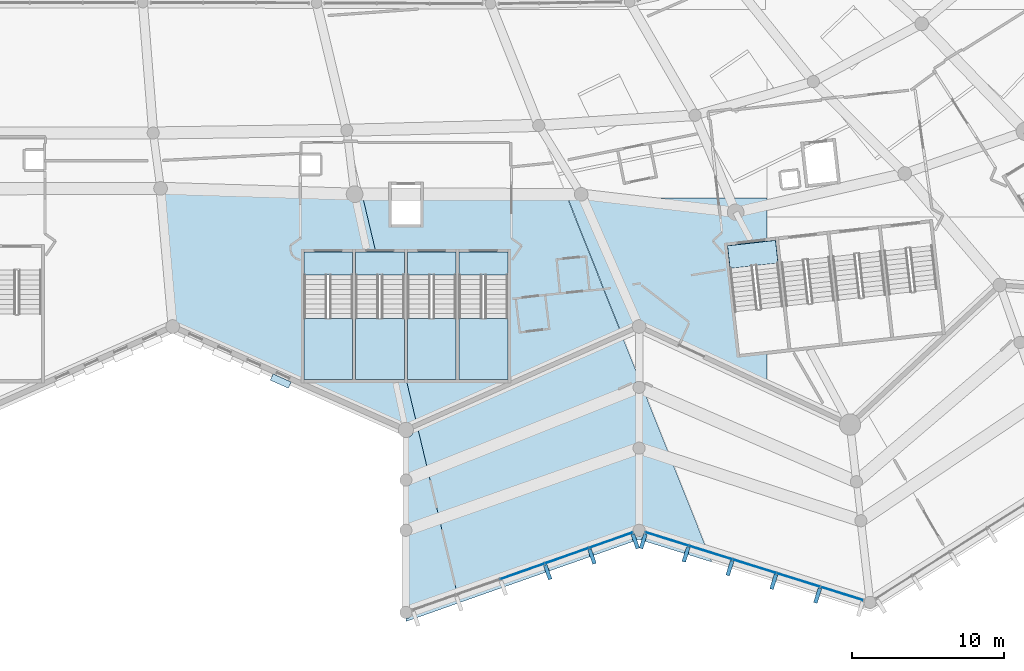
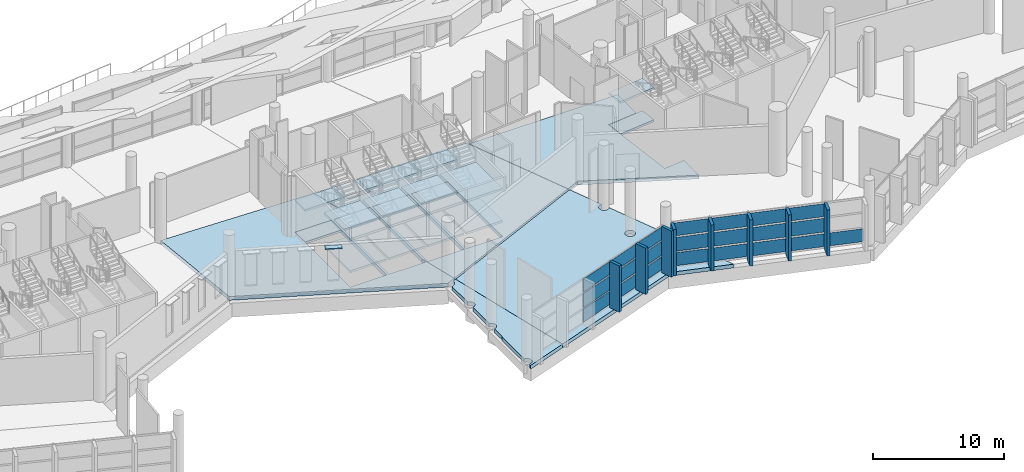
# One storey, part 107 of 249: 31 plates, 23 slabs, 7 elements without a shape of their own.
"""IFC4 building model written with IfcOpenShell, lengths in metres."""

from ifc_helpers import new_model, si_unit, direction, frame, origin, origin_2d, place, context, subcontext, project, spatial, polyline, rectangle, outline, extrude, material, layer, layer_set, type_object, element, aggregate, save


model = new_model("IFC4")

# Units and contexts
model_context = context("Model", 3, precision=1e-05, world=origin(), true_north=direction((0.0, 1.0)))
body_context = subcontext(model_context, "Body", "Model", "MODEL_VIEW")
ifc_project = project(units=[si_unit("LENGTHUNIT", "METRE"), si_unit("AREAUNIT", "SQUARE_METRE"), si_unit("VOLUMEUNIT", "CUBIC_METRE"), si_unit("PLANEANGLEUNIT", "RADIAN"), si_unit("MASSUNIT", "GRAM", prefix="KILO")], contexts=[model_context])

# Site, building, storey
site_placement = place(None, origin())
site = spatial("IfcSite", under=ifc_project, at=site_placement, CompositionType="ELEMENT")
building_placement = place(site_placement, origin())
building = spatial("IfcBuilding", under=site, at=building_placement, Name="Meseta Stadium", CompositionType="ELEMENT")
storey_placement = place(building_placement, frame((0.0, 0.0, 12.0)))
storey = spatial("IfcBuildingStorey", under=building, at=storey_placement, Name="L02", CompositionType="ELEMENT", Elevation=12.0)

# Slabs
ifc_material_1 = material(Name="Concrete C40/50", Category="concrete")
ifc_layer_1 = layer(ifc_material_1, 0.35009765625)
ifc_layer_set_1 = layer_set([ifc_layer_1], Name="Floor slab 350")
slab_type_1 = type_object("IfcSlabType", Name="Floor slab 350", PredefinedType="FLOOR", material=ifc_layer_set_1)
slab_1_placement = place(storey_placement, frame((0.0, 0.0, -0.35009765625)))
element("IfcSlab", 1, at=slab_1_placement, inside=storey, type_object=slab_type_1, Name="Floor slab L02 sector 42 panel 13", PredefinedType="FLOOR", context=body_context, shape_type="SweptSolid", body=[
    extrude(outline(polyline([(19.62744140625, -89.90380859375), (6.87060546875, -89.517822265625), (7.666748046875, -98.60009765625), (23.0, -105.39990234375), (23.732177734375, -105.0751953125), (22.89990234375, -101.580078125), (22.89990234375, -102.10009765625), (19.699951171875, -102.10009765625), (19.699951171875, -93.699951171875), (21.023681640625, -93.699951171875), (20.1201171875, -89.904052734375), (19.62744140625, -89.90380859375)]), holes=[polyline([(16.300048828125, -93.699951171875), (19.5, -93.699951171875), (19.5, -102.10009765625), (16.300048828125, -102.10009765625), (16.300048828125, -93.699951171875)])]), origin(), (0.0, 0.0, 1.0), 0.35009765625),
])
slab_2_placement = place(storey_placement, frame((0.0, 0.0, -0.35009765625)))
element("IfcSlab", 2, at=slab_2_placement, inside=storey, type_object=slab_type_1, Name="Floor slab L02 sector 42 panel 15", PredefinedType="FLOOR", context=body_context, shape_type="SweptSolid", body=[
    extrude(outline(polyline([(22.89990234375, -101.580078125), (23.732177734375, -105.0751953125), (37.177001953125, -99.11279296875), (33.525390625, -89.911376953125), (23.949951171875, -89.906005859375), (23.949951171875, -91.89990234375), (22.050048828125, -91.89990234375), (22.050048828125, -89.905029296875), (20.1201171875, -89.904052734375), (21.023681640625, -93.699951171875), (22.89990234375, -93.699951171875), (22.89990234375, -101.580078125)]), holes=[polyline([(23.10009765625, -93.699951171875), (26.300048828125, -93.699951171875), (26.300048828125, -102.10009765625), (23.10009765625, -102.10009765625), (23.10009765625, -93.699951171875)]), polyline([(26.5, -93.699951171875), (29.699951171875, -93.699951171875), (29.699951171875, -102.10009765625), (26.5, -102.10009765625), (26.5, -93.699951171875)])]), origin(), (0.0, 0.0, 1.0), 0.35009765625),
])
slab_3_placement = place(storey_placement, frame((0.0, 0.0, -0.35009765625)))
element("IfcSlab", 3, at=slab_3_placement, inside=storey, type_object=slab_type_1, Name="Floor slab L02 sector 49 panel 02", PredefinedType="FLOOR", context=body_context, shape_type="SweptSolid", body=[
    extrude(outline(polyline([(33.6376953125, -90.1396484375), (37.1953125, -99.104736328125), (38.333251953125, -98.60009765625), (46.736083984375, -102.5087890625), (46.736083984375, -100.2333984375), (44.9404296875, -100.435791015625), (44.13427734375, -93.281005859375), (46.736083984375, -92.98779296875), (46.736083984375, -90.1396484375), (33.6376953125, -90.1396484375)])), origin(), (0.0, 0.0, 1.0), 0.35009765625),
])
slab_4_placement = place(storey_placement, frame((0.0, 0.0, -0.35009765625)))
element("IfcSlab", 4, at=slab_4_placement, inside=storey, type_object=slab_type_1, Name="Ring floor slab L02 7 part 1 panel 01", PredefinedType="FLOOR", context=body_context, shape_type="SweptSolid", body=[
    extrude(outline(polyline([(23.130615234375, -105.88720703125), (23.04150390625, -105.898681640625), (23.04150390625, -108.302001953125), (23.1044921875, -108.310302734375), (23.20166015625, -108.3505859375), (23.285400390625, -108.414794921875), (23.349365234375, -108.498291015625), (23.37158203125, -108.552001953125), (23.3896484375, -108.595703125), (23.403564453125, -108.699951171875), (23.3896484375, -108.804443359375), (23.349365234375, -108.901611328125), (23.285400390625, -108.9853515625), (23.20166015625, -109.04931640625), (23.1044921875, -109.089599609375), (23.04150390625, -109.097900390625), (23.04150390625, -111.60205078125), (23.1044921875, -111.6103515625), (23.20166015625, -111.650634765625), (23.285400390625, -111.714599609375), (23.349365234375, -111.79833984375), (23.3896484375, -111.8955078125), (23.403564453125, -112.0), (23.3896484375, -112.1044921875), (23.349365234375, -112.20166015625), (23.285400390625, -112.285400390625), (23.20166015625, -112.349365234375), (23.1044921875, -112.3896484375), (23.04150390625, -112.39794921875), (23.04150390625, -113.593994140625), (23.0, -113.60009765625), (23.0, -116.99658203125), (23.1044921875, -117.01025390625), (23.20166015625, -117.050537109375), (23.285400390625, -117.11474609375), (23.349365234375, -117.1982421875), (23.3896484375, -117.295654296875), (23.403564453125, -117.39990234375), (23.3896484375, -117.50439453125), (23.349365234375, -117.601806640625), (23.285400390625, -117.685302734375), (23.20166015625, -117.74951171875), (23.1044921875, -117.789794921875), (23.0, -117.803466796875), (23.0, -118.0), (26.514892578125, -116.76220703125), (23.767578125, -105.2236328125), (23.496826171875, -105.34375), (23.50439453125, -105.39990234375), (23.487060546875, -105.530517578125), (23.436767578125, -105.652099609375), (23.356689453125, -105.756591796875), (23.252197265625, -105.836669921875), (23.130615234375, -105.88720703125)])), origin(), (0.0, 0.0, 1.0), 0.35009765625),
])
slab_5_placement = place(storey_placement, frame((0.0, 0.0, -0.35009765625)))
element("IfcSlab", 5, at=slab_5_placement, inside=storey, type_object=slab_type_1, Name="Ring floor slab L02 7 part 1 panel 02", PredefinedType="FLOOR", context=body_context, shape_type="SweptSolid", body=[
    extrude(outline(polyline([(38.333251953125, -102.196533203125), (38.404296875, -102.205810546875), (37.232421875, -99.25244140625), (23.767578125, -105.2236328125), (26.514892578125, -116.76220703125), (38.333251953125, -112.60009765625), (43.118408203125, -114.085205078125), (38.655029296875, -102.837890625), (38.61865234375, -102.88525390625), (38.53515625, -102.949462890625), (38.437744140625, -102.98974609375), (38.333251953125, -103.00341796875), (38.22900390625, -102.98974609375), (38.131591796875, -102.949462890625), (38.048095703125, -102.88525390625), (37.98388671875, -102.8017578125), (37.943603515625, -102.704345703125), (37.929931640625, -102.60009765625), (37.943603515625, -102.49560546875), (37.98388671875, -102.398193359375), (38.048095703125, -102.314697265625), (38.131591796875, -102.25048828125), (38.22900390625, -102.210205078125), (38.333251953125, -102.196533203125)]), holes=[polyline([(38.6826171875, -111.79833984375), (38.722900390625, -111.8955078125), (38.73681640625, -112.0), (38.722900390625, -112.1044921875), (38.6826171875, -112.20166015625), (38.61865234375, -112.285400390625), (38.53515625, -112.349365234375), (38.437744140625, -112.3896484375), (38.333251953125, -112.403564453125), (38.22900390625, -112.3896484375), (38.131591796875, -112.349365234375), (38.048095703125, -112.285400390625), (37.98388671875, -112.20166015625), (37.943603515625, -112.1044921875), (37.929931640625, -112.0), (37.943603515625, -111.8955078125), (37.98388671875, -111.79833984375), (38.048095703125, -111.714599609375), (38.131591796875, -111.650634765625), (38.22900390625, -111.6103515625), (38.333251953125, -111.596435546875), (38.437744140625, -111.6103515625), (38.53515625, -111.650634765625), (38.61865234375, -111.714599609375), (38.6826171875, -111.79833984375)]), polyline([(38.53515625, -106.25048828125), (38.61865234375, -106.314697265625), (38.6826171875, -106.398193359375), (38.722900390625, -106.49560546875), (38.73681640625, -106.60009765625), (38.722900390625, -106.704345703125), (38.6826171875, -106.8017578125), (38.61865234375, -106.88525390625), (38.53515625, -106.949462890625), (38.437744140625, -106.98974609375), (38.333251953125, -107.00341796875), (38.22900390625, -106.98974609375), (38.131591796875, -106.949462890625), (38.048095703125, -106.88525390625), (37.98388671875, -106.8017578125), (37.943603515625, -106.704345703125), (37.929931640625, -106.60009765625), (37.943603515625, -106.49560546875), (37.98388671875, -106.398193359375), (38.048095703125, -106.314697265625), (38.131591796875, -106.25048828125), (38.22900390625, -106.210205078125), (38.333251953125, -106.196533203125), (38.437744140625, -106.210205078125), (38.53515625, -106.25048828125)])]), origin(), (0.0, 0.0, 1.0), 0.35009765625),
])

# Plate
ifc_material_2 = material(Name="White precast concrete C40/50", Category="concrete")
ifc_layer_2 = layer(ifc_material_2, 0.080078125)
ifc_layer_set_2 = layer_set([ifc_layer_2], Name="Louvre hood 1300x450")
plate_type_1 = type_object("IfcPlateType", Name="Louvre hood 1300x450", PredefinedType="USERDEFINED", material=ifc_layer_set_2)
plate_1_placement = place(storey_placement, frame((14.77197265625, -102.1884765625, 4.25), z_axis=(0.0, 0.0, 1.0), x_axis=(0.914139046248, -0.40540079443, 0.0)))
element("IfcPlate", 6, at=plate_1_placement, inside=storey, type_object=plate_type_1, Name="Louvre hood L02 F47", ObjectType="LOUVRE", PredefinedType="USERDEFINED", context=body_context, shape_type="SweptSolid", body=[
    extrude(rectangle(XDim=1.300048828125, YDim=0.449951171875, at=origin_2d()), origin(), (0.0, 0.0, 1.0), 0.080078125),
])

# Curtain wall, plates
ifc_material_3 = material(Name="Aluminium", Category="aluminium")
ifc_layer_3 = layer(ifc_material_3, 0.199951171875)
ifc_layer_set_3 = layer_set([ifc_layer_3], Name="Ring shopfront curtain wall")
curtain_wall_type = type_object("IfcCurtainWallType", Name="Ring shopfront curtain wall", PredefinedType="NOTDEFINED", material=ifc_layer_set_3)
curtain_wall_1_placement = place(storey_placement, origin())
curtain_wall_1 = element("IfcCurtainWall", 7, at=curtain_wall_1_placement, inside=storey, type_object=curtain_wall_type, Name="Ring glazing L02 F48", PredefinedType="NOTDEFINED")
ifc_material_4 = material(Name="Glass", Category="glass")
ifc_layer_4 = layer(ifc_material_4, 0.035888671875)
ifc_layer_set_4 = layer_set([ifc_layer_4], Name="Ring CW glass panel 36")
plate_type_2 = type_object("IfcPlateType", Name="Ring CW glass panel 36", PredefinedType="CURTAIN_PANEL", material=ifc_layer_set_4)
plate_2_placement = place(storey_placement, frame((30.666748046875, -114.699951171875, 0.14990234375), z_axis=(0.0, 0.0, 1.0), x_axis=(0.943218009999, 0.332174330154, 0.0)))
plate_2 = element("IfcPlate", 8, at=plate_2_placement, type_object=plate_type_2, Name="CWR1 panel 3.1", PredefinedType="CURTAIN_PANEL", context=body_context, shape_type="SweptSolid", body=[
    extrude(rectangle(XDim=3.03125, YDim=0.035888671875, at=origin_2d()), origin(), (0.0, 0.0, 1.0), 1.208251953125),
])
plate_3_placement = place(storey_placement, frame((30.666748046875, -114.699951171875, 1.50830078125), z_axis=(0.0, 0.0, 1.0), x_axis=(0.943218009999, 0.332174330154, 0.0)))
plate_3 = element("IfcPlate", 9, at=plate_3_placement, type_object=plate_type_2, Name="CWR1 panel 3.2", PredefinedType="CURTAIN_PANEL", context=body_context, shape_type="SweptSolid", body=[
    extrude(rectangle(XDim=3.03125, YDim=0.035888671875, at=origin_2d()), origin(), (0.0, 0.0, 1.0), 1.283447265625),
])
plate_4_placement = place(storey_placement, frame((30.666748046875, -114.699951171875, 2.94189453125), z_axis=(0.0, 0.0, 1.0), x_axis=(0.943218009999, 0.332174330154, 0.0)))
plate_4 = element("IfcPlate", 10, at=plate_4_placement, type_object=plate_type_2, Name="CWR1 panel 3.3", PredefinedType="CURTAIN_PANEL", context=body_context, shape_type="SweptSolid", body=[
    extrude(rectangle(XDim=3.03125, YDim=0.035888671875, at=origin_2d()), origin(), (0.0, 0.0, 1.0), 1.208251953125),
])
plate_5_placement = place(storey_placement, frame((33.582275390625, -113.673095703125, 0.14990234375), z_axis=(0.0, 0.0, 1.0), x_axis=(0.943218009999, 0.332174330154, 0.0)))
plate_5 = element("IfcPlate", 11, at=plate_5_placement, type_object=plate_type_2, Name="CWR1 panel 4.1", PredefinedType="CURTAIN_PANEL", context=body_context, shape_type="SweptSolid", body=[
    extrude(rectangle(XDim=3.03125, YDim=0.035888671875, at=origin_2d()), origin(), (0.0, 0.0, 1.0), 1.208251953125),
])
plate_6_placement = place(storey_placement, frame((33.582275390625, -113.673095703125, 1.50830078125), z_axis=(0.0, 0.0, 1.0), x_axis=(0.943218009999, 0.332174330154, 0.0)))
plate_6 = element("IfcPlate", 12, at=plate_6_placement, type_object=plate_type_2, Name="CWR1 panel 4.2", PredefinedType="CURTAIN_PANEL", context=body_context, shape_type="SweptSolid", body=[
    extrude(rectangle(XDim=3.03125, YDim=0.035888671875, at=origin_2d()), origin(), (0.0, 0.0, 1.0), 1.283447265625),
])
plate_7_placement = place(storey_placement, frame((33.582275390625, -113.673095703125, 2.94189453125), z_axis=(0.0, 0.0, 1.0), x_axis=(0.943218009999, 0.332174330154, 0.0)))
plate_7 = element("IfcPlate", 13, at=plate_7_placement, type_object=plate_type_2, Name="CWR1 panel 4.3", PredefinedType="CURTAIN_PANEL", context=body_context, shape_type="SweptSolid", body=[
    extrude(rectangle(XDim=3.03125, YDim=0.035888671875, at=origin_2d()), origin(), (0.0, 0.0, 1.0), 1.208251953125),
])
plate_8_placement = place(storey_placement, frame((36.48388671875, -112.6513671875, 0.14990234375), z_axis=(0.0, 0.0, 1.0), x_axis=(0.943218009999, 0.332174330154, 0.0)))
plate_8 = element("IfcPlate", 14, at=plate_8_placement, type_object=plate_type_2, Name="CWR1 panel 5.1", PredefinedType="CURTAIN_PANEL", context=body_context, shape_type="SweptSolid", body=[
    extrude(rectangle(XDim=3.001220703125, YDim=0.035888671875, at=origin_2d()), origin(), (0.0, 0.0, 1.0), 1.208251953125),
])
plate_9_placement = place(storey_placement, frame((36.48388671875, -112.6513671875, 1.50830078125), z_axis=(0.0, 0.0, 1.0), x_axis=(0.943218009999, 0.332174330154, 0.0)))
plate_9 = element("IfcPlate", 15, at=plate_9_placement, type_object=plate_type_2, Name="CWR1 panel 5.2", PredefinedType="CURTAIN_PANEL", context=body_context, shape_type="SweptSolid", body=[
    extrude(rectangle(XDim=3.001220703125, YDim=0.035888671875, at=origin_2d()), origin(), (0.0, 0.0, 1.0), 1.283447265625),
])
plate_10_placement = place(storey_placement, frame((36.48388671875, -112.6513671875, 2.94189453125), z_axis=(0.0, 0.0, 1.0), x_axis=(0.943218009999, 0.332174330154, 0.0)))
plate_10 = element("IfcPlate", 16, at=plate_10_placement, type_object=plate_type_2, Name="CWR1 panel 5.3", PredefinedType="CURTAIN_PANEL", context=body_context, shape_type="SweptSolid", body=[
    extrude(rectangle(XDim=3.001220703125, YDim=0.035888671875, at=origin_2d()), origin(), (0.0, 0.0, 1.0), 1.208251953125),
])
aggregate(curtain_wall_1, [plate_2, plate_3, plate_4, plate_5, plate_6, plate_7, plate_8, plate_9, plate_10])

curtain_wall_2_placement = place(storey_placement, origin())
curtain_wall_2 = element("IfcCurtainWall", 17, at=curtain_wall_2_placement, inside=storey, type_object=curtain_wall_type, Name="Ring glazing L02 F49", PredefinedType="NOTDEFINED")
plate_11_placement = place(storey_placement, frame((40.171875, -112.573486328125, 0.14990234375), z_axis=(0.0, 0.0, 1.0), x_axis=(0.95460920309, -0.297861157885, 0.0)))
plate_11 = element("IfcPlate", 18, at=plate_11_placement, type_object=plate_type_2, Name="CWR1 panel 1.1", PredefinedType="CURTAIN_PANEL", context=body_context, shape_type="SweptSolid", body=[
    extrude(rectangle(XDim=2.931640625, YDim=0.035888671875, at=origin_2d()), origin(), (0.0, 0.0, 1.0), 1.208251953125),
])
plate_12_placement = place(storey_placement, frame((40.171875, -112.573486328125, 1.50830078125), z_axis=(0.0, 0.0, 1.0), x_axis=(0.95460920309, -0.297861157885, 0.0)))
plate_12 = element("IfcPlate", 19, at=plate_12_placement, type_object=plate_type_2, Name="CWR1 panel 1.2", PredefinedType="CURTAIN_PANEL", context=body_context, shape_type="SweptSolid", body=[
    extrude(rectangle(XDim=2.931640625, YDim=0.035888671875, at=origin_2d()), origin(), (0.0, 0.0, 1.0), 1.283447265625),
])
plate_13_placement = place(storey_placement, frame((40.171875, -112.573486328125, 2.94189453125), z_axis=(0.0, 0.0, 1.0), x_axis=(0.95460920309, -0.297861157885, 0.0)))
plate_13 = element("IfcPlate", 20, at=plate_13_placement, type_object=plate_type_2, Name="CWR1 panel 1.3", PredefinedType="CURTAIN_PANEL", context=body_context, shape_type="SweptSolid", body=[
    extrude(rectangle(XDim=2.931640625, YDim=0.035888671875, at=origin_2d()), origin(), (0.0, 0.0, 1.0), 1.208251953125),
])
plate_14_placement = place(storey_placement, frame((43.0419921875, -113.46923828125, 0.14990234375), z_axis=(0.0, 0.0, 1.0), x_axis=(0.95460920309, -0.297861157885, 0.0)))
plate_14 = element("IfcPlate", 21, at=plate_14_placement, type_object=plate_type_2, Name="CWR1 panel 2.1", PredefinedType="CURTAIN_PANEL", context=body_context, shape_type="SweptSolid", body=[
    extrude(rectangle(XDim=2.961669921875, YDim=0.035888671875, at=origin_2d()), origin(), (0.0, 0.0, 1.0), 1.208251953125),
])
plate_15_placement = place(storey_placement, frame((43.0419921875, -113.46923828125, 1.50830078125), z_axis=(0.0, 0.0, 1.0), x_axis=(0.95460920309, -0.297861157885, 0.0)))
plate_15 = element("IfcPlate", 22, at=plate_15_placement, type_object=plate_type_2, Name="CWR1 panel 2.2", PredefinedType="CURTAIN_PANEL", context=body_context, shape_type="SweptSolid", body=[
    extrude(rectangle(XDim=2.961669921875, YDim=0.035888671875, at=origin_2d()), origin(), (0.0, 0.0, 1.0), 1.283447265625),
])
plate_16_placement = place(storey_placement, frame((43.0419921875, -113.46923828125, 2.94189453125), z_axis=(0.0, 0.0, 1.0), x_axis=(0.95460920309, -0.297861157885, 0.0)))
plate_16 = element("IfcPlate", 23, at=plate_16_placement, type_object=plate_type_2, Name="CWR1 panel 2.3", PredefinedType="CURTAIN_PANEL", context=body_context, shape_type="SweptSolid", body=[
    extrude(rectangle(XDim=2.961669921875, YDim=0.035888671875, at=origin_2d()), origin(), (0.0, 0.0, 1.0), 1.208251953125),
])
plate_17_placement = place(storey_placement, frame((45.926513671875, -114.369140625, 0.14990234375), z_axis=(0.0, 0.0, 1.0), x_axis=(0.95460920309, -0.297861157885, 0.0)))
plate_17 = element("IfcPlate", 24, at=plate_17_placement, type_object=plate_type_2, Name="CWR1 panel 3.1", PredefinedType="CURTAIN_PANEL", context=body_context, shape_type="SweptSolid", body=[
    extrude(rectangle(XDim=2.961669921875, YDim=0.035888671875, at=origin_2d()), origin(), (0.0, 0.0, 1.0), 1.208251953125),
])
plate_18_placement = place(storey_placement, frame((45.926513671875, -114.369140625, 1.50830078125), z_axis=(0.0, 0.0, 1.0), x_axis=(0.95460920309, -0.297861157885, 0.0)))
plate_18 = element("IfcPlate", 25, at=plate_18_placement, type_object=plate_type_2, Name="CWR1 panel 3.2", PredefinedType="CURTAIN_PANEL", context=body_context, shape_type="SweptSolid", body=[
    extrude(rectangle(XDim=2.961669921875, YDim=0.035888671875, at=origin_2d()), origin(), (0.0, 0.0, 1.0), 1.283447265625),
])
plate_19_placement = place(storey_placement, frame((45.926513671875, -114.369140625, 2.94189453125), z_axis=(0.0, 0.0, 1.0), x_axis=(0.95460920309, -0.297861157885, 0.0)))
plate_19 = element("IfcPlate", 26, at=plate_19_placement, type_object=plate_type_2, Name="CWR1 panel 3.3", PredefinedType="CURTAIN_PANEL", context=body_context, shape_type="SweptSolid", body=[
    extrude(rectangle(XDim=2.961669921875, YDim=0.035888671875, at=origin_2d()), origin(), (0.0, 0.0, 1.0), 1.208251953125),
])
plate_20_placement = place(storey_placement, frame((48.81103515625, -115.269287109375, 0.14990234375), z_axis=(0.0, 0.0, 1.0), x_axis=(0.95460920309, -0.297861157885, 0.0)))
plate_20 = element("IfcPlate", 27, at=plate_20_placement, type_object=plate_type_2, Name="CWR1 panel 4.1", PredefinedType="CURTAIN_PANEL", context=body_context, shape_type="SweptSolid", body=[
    extrude(rectangle(XDim=2.961669921875, YDim=0.035888671875, at=origin_2d()), origin(), (0.0, 0.0, 1.0), 1.208251953125),
])
plate_21_placement = place(storey_placement, frame((48.81103515625, -115.269287109375, 1.50830078125), z_axis=(0.0, 0.0, 1.0), x_axis=(0.95460920309, -0.297861157885, 0.0)))
plate_21 = element("IfcPlate", 28, at=plate_21_placement, type_object=plate_type_2, Name="CWR1 panel 4.2", PredefinedType="CURTAIN_PANEL", context=body_context, shape_type="SweptSolid", body=[
    extrude(rectangle(XDim=2.961669921875, YDim=0.035888671875, at=origin_2d()), origin(), (0.0, 0.0, 1.0), 1.283447265625),
])
plate_22_placement = place(storey_placement, frame((48.81103515625, -115.269287109375, 2.94189453125), z_axis=(0.0, 0.0, 1.0), x_axis=(0.95460920309, -0.297861157885, 0.0)))
plate_22 = element("IfcPlate", 29, at=plate_22_placement, type_object=plate_type_2, Name="CWR1 panel 4.3", PredefinedType="CURTAIN_PANEL", context=body_context, shape_type="SweptSolid", body=[
    extrude(rectangle(XDim=2.961669921875, YDim=0.035888671875, at=origin_2d()), origin(), (0.0, 0.0, 1.0), 1.208251953125),
])
plate_23_placement = place(storey_placement, frame((51.68115234375, -116.164794921875, 0.14990234375), z_axis=(0.0, 0.0, 1.0), x_axis=(0.95460920309, -0.297861157885, 0.0)))
plate_23 = element("IfcPlate", 30, at=plate_23_placement, type_object=plate_type_2, Name="CWR1 panel 5.1", PredefinedType="CURTAIN_PANEL", context=body_context, shape_type="SweptSolid", body=[
    extrude(rectangle(XDim=2.931640625, YDim=0.035888671875, at=origin_2d()), origin(), (0.0, 0.0, 1.0), 1.208251953125),
])
aggregate(curtain_wall_2, [plate_11, plate_12, plate_13, plate_14, plate_15, plate_16, plate_17, plate_18, plate_19, plate_20, plate_21, plate_22, plate_23])

# Plates
ifc_material_5 = material(Name="Precast concrete C40/50", Category="concrete")
ifc_layer_5 = layer(ifc_material_5, 0.25)
ifc_layer_set_5 = layer_set([ifc_layer_5], Name="Ring brise-soleil fin 250x1000")
plate_type_3 = type_object("IfcPlateType", Name="Ring brise-soleil fin 250x1000", PredefinedType="USERDEFINED", material=ifc_layer_set_5)
for number, where, z_axis, x_axis, name in (
    (31, (32.32373046875, -114.75244140625, 0.0), (0.0, 0.0, 1.0), (0.943217440256, 0.33217594795, 0.0), "Brise-soleil fin L02 F48.4"),
    (32, (35.239501953125, -113.7255859375, 0.0), (0.0, 0.0, 1.0), (0.943217440256, 0.33217594795, 0.0), "Brise-soleil fin L02 F48.5"),
    (33, (38.084716796875, -112.7236328125, 0.0), (0.0, 0.0, 1.0), (0.943217440256, 0.33217594795, 0.0), "Brise-soleil fin L02 F48.6"),
    (34, (38.608154296875, -112.714111328125, 0.0), (0.0, 0.0, 1.0), (0.954610682122, -0.297856417723, 0.0), "Brise-soleil fin L02 F49.1"),
    (35, (41.4208984375, -113.591796875, 0.0), (0.0, 0.0, 1.0), (0.954610682122, -0.297856417723, 0.0), "Brise-soleil fin L02 F49.2"),
    (36, (44.305419921875, -114.491943359375, 0.0), (0.0, 0.0, 1.0), (0.954610682122, -0.297856417723, 0.0), "Brise-soleil fin L02 F49.3"),
    (37, (47.18994140625, -115.39208984375, 0.0), (0.0, 0.0, 1.0), (0.954610682122, -0.297856417723, 0.0), "Brise-soleil fin L02 F49.4"),
    (38, (50.074462890625, -116.2919921875, 0.0), (0.0, 0.0, 1.0), (0.954610682122, -0.297856417723, 0.0), "Brise-soleil fin L02 F49.5"),
):
    element("IfcPlate", number, at=place(storey_placement, frame(where, z_axis=z_axis, x_axis=x_axis)), inside=storey, type_object=plate_type_3, Name=name, ObjectType="FIN", PredefinedType="USERDEFINED", context=body_context, shape_type="SweptSolid", body=[
        extrude(rectangle(XDim=0.25, YDim=1.0, at=origin_2d()), origin(), (0.0, 0.0, 1.0), 4.300048828125),
    ])

# Stair, slabs
ifc_material_6 = material(Name="Concrete C40/50", Category="concrete")
stair_type = type_object("IfcStairType", Name="Exit stair 4 flights 150 mm risers", PredefinedType="HALF_TURN_STAIR", material=ifc_material_6)
stair_1_placement = place(storey_placement, origin())
stair_1 = element("IfcStair", 39, at=stair_1_placement, inside=storey, type_object=stair_type, Name="ST97 L02", PredefinedType="HALF_TURN_STAIR")
ifc_material_7 = material(Name="Concrete C40/50", Category="concrete")
ifc_layer_6 = layer(ifc_material_7, 0.199951171875)
ifc_layer_set_6 = layer_set([ifc_layer_6], Name="Stair landing 200")
slab_type_2 = type_object("IfcSlabType", Name="Stair landing 200", PredefinedType="LANDING", material=ifc_layer_set_6)
slab_6_placement = place(storey_placement, frame((0.0, 0.0, 1.300048828125)))
slab_6 = element("IfcSlab", 40, at=slab_6_placement, type_object=slab_type_2, Name="ST97 L02 landing 1", PredefinedType="LANDING", context=body_context, shape_type="SweptSolid", body=[
    extrude(outline(polyline([(16.300048828125, -98.070068359375), (16.300048828125, -102.10009765625), (19.5, -102.10009765625), (19.5, -98.070068359375), (16.300048828125, -98.070068359375)])), origin(), (0.0, 0.0, 1.0), 0.199951171875),
])
slab_7_placement = place(storey_placement, frame((0.0, 0.0, 2.800048828125)))
slab_7 = element("IfcSlab", 41, at=slab_7_placement, type_object=slab_type_2, Name="ST97 L02 landing 2", PredefinedType="LANDING", context=body_context, shape_type="SweptSolid", body=[
    extrude(outline(polyline([(16.300048828125, -93.699951171875), (16.300048828125, -95.2099609375), (19.5, -95.2099609375), (19.5, -93.699951171875), (16.300048828125, -93.699951171875)])), origin(), (0.0, 0.0, 1.0), 0.199951171875),
])
slab_8_placement = place(storey_placement, frame((0.0, 0.0, 4.300048828125)))
slab_8 = element("IfcSlab", 42, at=slab_8_placement, type_object=slab_type_2, Name="ST97 L02 landing 3", PredefinedType="LANDING", context=body_context, shape_type="SweptSolid", body=[
    extrude(outline(polyline([(16.300048828125, -98.070068359375), (16.300048828125, -102.10009765625), (19.5, -102.10009765625), (19.5, -98.070068359375), (16.300048828125, -98.070068359375)])), origin(), (0.0, 0.0, 1.0), 0.199951171875),
])
slab_9_placement = place(storey_placement, frame((0.0, 0.0, -0.199951171875)))
slab_9 = element("IfcSlab", 43, at=slab_9_placement, type_object=slab_type_2, Name="ST97 L02 landing 4", PredefinedType="LANDING", context=body_context, shape_type="SweptSolid", body=[
    extrude(outline(polyline([(16.300048828125, -93.699951171875), (16.300048828125, -95.2099609375), (19.5, -95.2099609375), (19.5, -93.699951171875), (16.300048828125, -93.699951171875)])), origin(), (0.0, 0.0, 1.0), 0.199951171875),
])
aggregate(stair_1, [slab_6, slab_7, slab_8, slab_9])

stair_2_placement = place(storey_placement, origin())
stair_2 = element("IfcStair", 44, at=stair_2_placement, inside=storey, type_object=stair_type, Name="ST98 L02", PredefinedType="HALF_TURN_STAIR")
slab_10_placement = place(storey_placement, frame((0.0, 0.0, 1.300048828125)))
slab_10 = element("IfcSlab", 45, at=slab_10_placement, type_object=slab_type_2, Name="ST98 L02 landing 1", PredefinedType="LANDING", context=body_context, shape_type="SweptSolid", body=[
    extrude(outline(polyline([(19.699951171875, -98.070068359375), (19.699951171875, -102.10009765625), (22.89990234375, -102.10009765625), (22.89990234375, -98.070068359375), (19.699951171875, -98.070068359375)])), origin(), (0.0, 0.0, 1.0), 0.199951171875),
])
slab_11_placement = place(storey_placement, frame((0.0, 0.0, 2.800048828125)))
slab_11 = element("IfcSlab", 46, at=slab_11_placement, type_object=slab_type_2, Name="ST98 L02 landing 2", PredefinedType="LANDING", context=body_context, shape_type="SweptSolid", body=[
    extrude(outline(polyline([(19.699951171875, -93.699951171875), (19.699951171875, -95.2099609375), (22.89990234375, -95.2099609375), (22.89990234375, -93.699951171875), (19.699951171875, -93.699951171875)])), origin(), (0.0, 0.0, 1.0), 0.199951171875),
])
slab_12_placement = place(storey_placement, frame((0.0, 0.0, 4.300048828125)))
slab_12 = element("IfcSlab", 47, at=slab_12_placement, type_object=slab_type_2, Name="ST98 L02 landing 3", PredefinedType="LANDING", context=body_context, shape_type="SweptSolid", body=[
    extrude(outline(polyline([(19.699951171875, -98.070068359375), (19.699951171875, -102.10009765625), (22.89990234375, -102.10009765625), (22.89990234375, -98.070068359375), (19.699951171875, -98.070068359375)])), origin(), (0.0, 0.0, 1.0), 0.199951171875),
])
slab_13_placement = place(storey_placement, frame((0.0, 0.0, -0.199951171875)))
slab_13 = element("IfcSlab", 48, at=slab_13_placement, type_object=slab_type_2, Name="ST98 L02 landing 4", PredefinedType="LANDING", context=body_context, shape_type="SweptSolid", body=[
    extrude(outline(polyline([(19.699951171875, -93.699951171875), (19.699951171875, -95.2099609375), (22.89990234375, -95.2099609375), (22.89990234375, -93.699951171875), (19.699951171875, -93.699951171875)])), origin(), (0.0, 0.0, 1.0), 0.199951171875),
])
aggregate(stair_2, [slab_10, slab_11, slab_12, slab_13])

stair_3_placement = place(storey_placement, origin())
stair_3 = element("IfcStair", 49, at=stair_3_placement, inside=storey, type_object=stair_type, Name="ST99 L02", PredefinedType="HALF_TURN_STAIR")
slab_14_placement = place(storey_placement, frame((0.0, 0.0, 1.300048828125)))
slab_14 = element("IfcSlab", 50, at=slab_14_placement, type_object=slab_type_2, Name="ST99 L02 landing 1", PredefinedType="LANDING", context=body_context, shape_type="SweptSolid", body=[
    extrude(outline(polyline([(23.10009765625, -98.070068359375), (23.10009765625, -102.10009765625), (26.300048828125, -102.10009765625), (26.300048828125, -98.070068359375), (23.10009765625, -98.070068359375)])), origin(), (0.0, 0.0, 1.0), 0.199951171875),
])
slab_15_placement = place(storey_placement, frame((0.0, 0.0, 2.800048828125)))
slab_15 = element("IfcSlab", 51, at=slab_15_placement, type_object=slab_type_2, Name="ST99 L02 landing 2", PredefinedType="LANDING", context=body_context, shape_type="SweptSolid", body=[
    extrude(outline(polyline([(23.10009765625, -93.699951171875), (23.10009765625, -95.2099609375), (26.300048828125, -95.2099609375), (26.300048828125, -93.699951171875), (23.10009765625, -93.699951171875)])), origin(), (0.0, 0.0, 1.0), 0.199951171875),
])
slab_16_placement = place(storey_placement, frame((0.0, 0.0, 4.300048828125)))
slab_16 = element("IfcSlab", 52, at=slab_16_placement, type_object=slab_type_2, Name="ST99 L02 landing 3", PredefinedType="LANDING", context=body_context, shape_type="SweptSolid", body=[
    extrude(outline(polyline([(23.10009765625, -98.070068359375), (23.10009765625, -102.10009765625), (26.300048828125, -102.10009765625), (26.300048828125, -98.070068359375), (23.10009765625, -98.070068359375)])), origin(), (0.0, 0.0, 1.0), 0.199951171875),
])
slab_17_placement = place(storey_placement, frame((0.0, 0.0, -0.199951171875)))
slab_17 = element("IfcSlab", 53, at=slab_17_placement, type_object=slab_type_2, Name="ST99 L02 landing 4", PredefinedType="LANDING", context=body_context, shape_type="SweptSolid", body=[
    extrude(outline(polyline([(23.10009765625, -93.699951171875), (23.10009765625, -95.2099609375), (26.300048828125, -95.2099609375), (26.300048828125, -93.699951171875), (23.10009765625, -93.699951171875)])), origin(), (0.0, 0.0, 1.0), 0.199951171875),
])
aggregate(stair_3, [slab_14, slab_15, slab_16, slab_17])

stair_4_placement = place(storey_placement, origin())
stair_4 = element("IfcStair", 54, at=stair_4_placement, inside=storey, type_object=stair_type, Name="ST100 L02", PredefinedType="HALF_TURN_STAIR")
slab_18_placement = place(storey_placement, frame((0.0, 0.0, 1.300048828125)))
slab_18 = element("IfcSlab", 55, at=slab_18_placement, type_object=slab_type_2, Name="ST100 L02 landing 1", PredefinedType="LANDING", context=body_context, shape_type="SweptSolid", body=[
    extrude(outline(polyline([(26.5, -98.070068359375), (26.5, -102.10009765625), (29.699951171875, -102.10009765625), (29.699951171875, -98.070068359375), (26.5, -98.070068359375)])), origin(), (0.0, 0.0, 1.0), 0.199951171875),
])
slab_19_placement = place(storey_placement, frame((0.0, 0.0, 2.800048828125)))
slab_19 = element("IfcSlab", 56, at=slab_19_placement, type_object=slab_type_2, Name="ST100 L02 landing 2", PredefinedType="LANDING", context=body_context, shape_type="SweptSolid", body=[
    extrude(outline(polyline([(26.5, -93.699951171875), (26.5, -95.2099609375), (29.699951171875, -95.2099609375), (29.699951171875, -93.699951171875), (26.5, -93.699951171875)])), origin(), (0.0, 0.0, 1.0), 0.199951171875),
])
slab_20_placement = place(storey_placement, frame((0.0, 0.0, 4.300048828125)))
slab_20 = element("IfcSlab", 57, at=slab_20_placement, type_object=slab_type_2, Name="ST100 L02 landing 3", PredefinedType="LANDING", context=body_context, shape_type="SweptSolid", body=[
    extrude(outline(polyline([(26.5, -98.070068359375), (26.5, -102.10009765625), (29.699951171875, -102.10009765625), (29.699951171875, -98.070068359375), (26.5, -98.070068359375)])), origin(), (0.0, 0.0, 1.0), 0.199951171875),
])
slab_21_placement = place(storey_placement, frame((0.0, 0.0, -0.199951171875)))
slab_21 = element("IfcSlab", 58, at=slab_21_placement, type_object=slab_type_2, Name="ST100 L02 landing 4", PredefinedType="LANDING", context=body_context, shape_type="SweptSolid", body=[
    extrude(outline(polyline([(26.5, -93.699951171875), (26.5, -95.2099609375), (29.699951171875, -95.2099609375), (29.699951171875, -93.699951171875), (26.5, -93.699951171875)])), origin(), (0.0, 0.0, 1.0), 0.199951171875),
])
aggregate(stair_4, [slab_18, slab_19, slab_20, slab_21])

stair_5_placement = place(storey_placement, origin())
stair_5 = element("IfcStair", 59, at=stair_5_placement, inside=storey, type_object=stair_type, Name="ST101 L02", PredefinedType="HALF_TURN_STAIR")
slab_22_placement = place(storey_placement, frame((0.0, 0.0, 2.800048828125)))
slab_22 = element("IfcSlab", 60, at=slab_22_placement, type_object=slab_type_2, Name="ST101 L02 landing 2", PredefinedType="LANDING", context=body_context, shape_type="SweptSolid", body=[
    extrude(outline(polyline([(44.13427734375, -93.281005859375), (44.30322265625, -94.781494140625), (47.483154296875, -94.42333984375), (47.314208984375, -92.9228515625), (44.13427734375, -93.281005859375)])), origin(), (0.0, 0.0, 1.0), 0.199951171875),
])
slab_23_placement = place(storey_placement, frame((0.0, 0.0, -0.199951171875)))
slab_23 = element("IfcSlab", 61, at=slab_23_placement, type_object=slab_type_2, Name="ST101 L02 landing 4", PredefinedType="LANDING", context=body_context, shape_type="SweptSolid", body=[
    extrude(outline(polyline([(44.315185546875, -94.7802734375), (47.47119140625, -94.424560546875), (47.303466796875, -92.93603515625), (46.737548828125, -92.999755859375), (44.1474609375, -93.29150390625), (44.315185546875, -94.7802734375)])), origin(), (0.0, 0.0, 1.0), 0.199951171875),
])
aggregate(stair_5, [slab_22, slab_23])

save(model, "model.ifc")
